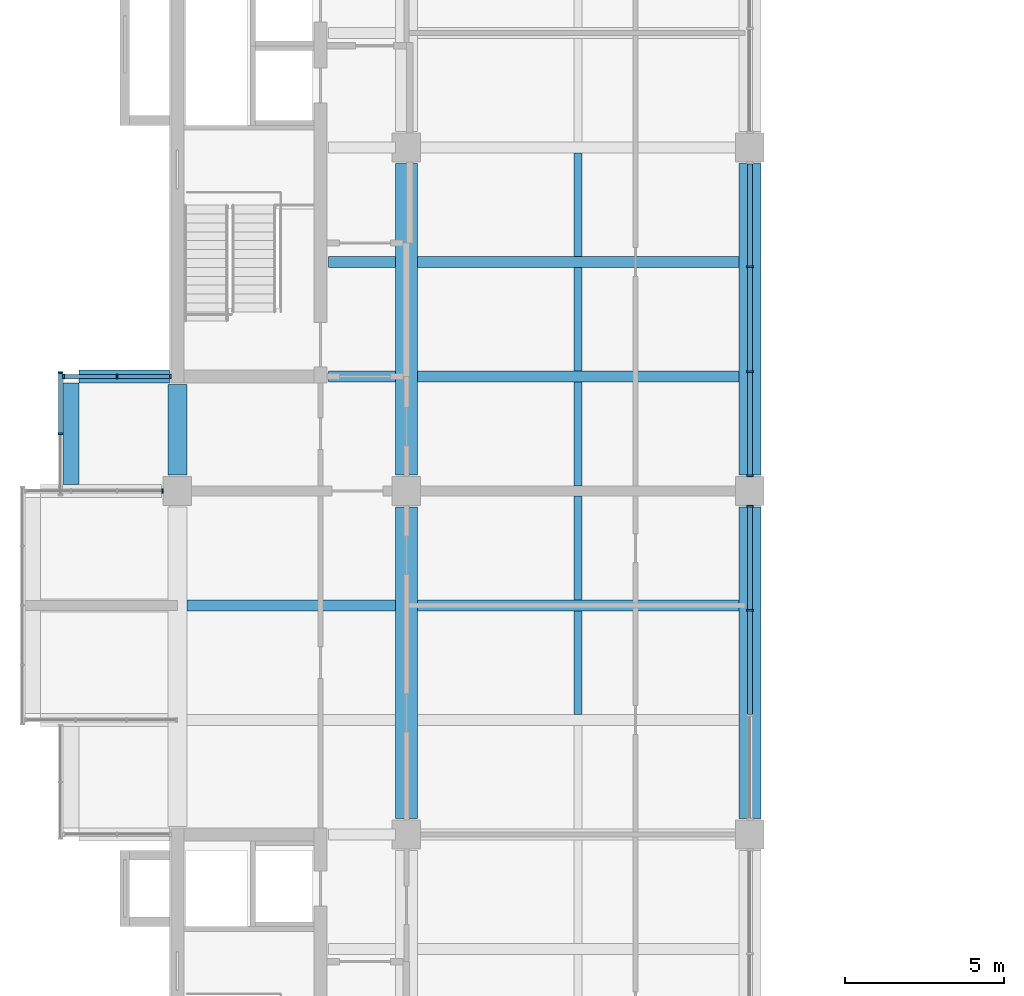
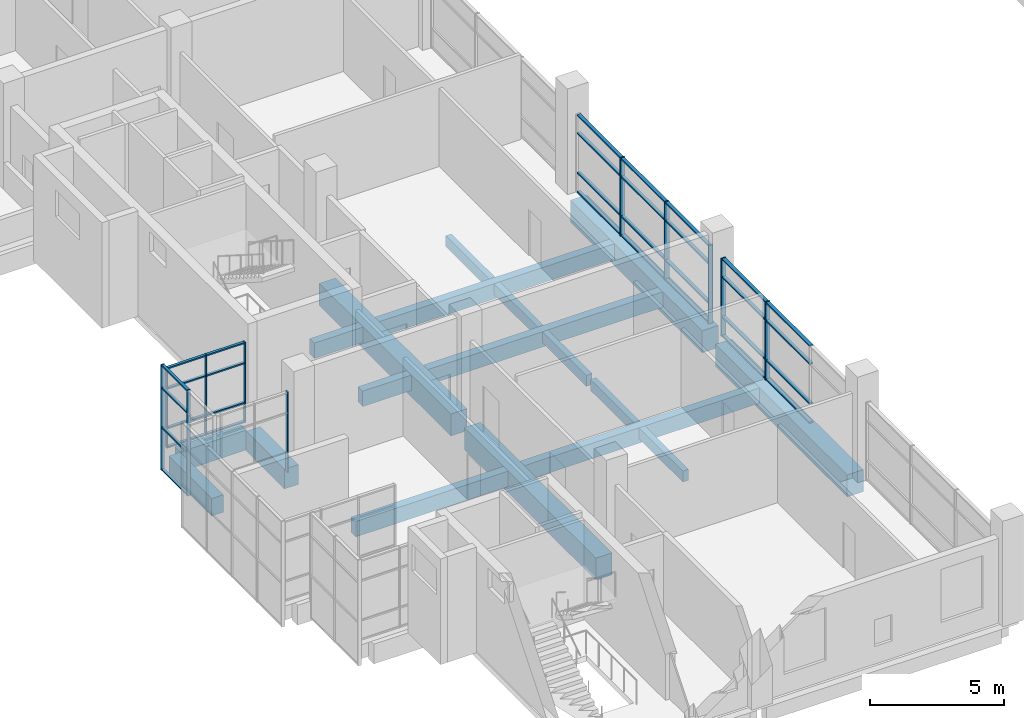
# One storey, part 8 of 32: 43 members, 18 beams, 5 elements without a shape of their own.
"""IFC4 building model written with IfcOpenShell, lengths in metres."""

from ifc_helpers import new_model, si_unit, direction, frame, origin, origin_2d, place, context, subcontext, project, spatial, rectangle, extrude, material, layer, layer_set, material_profile, profile_set, type_object, element, aggregate, save


model = new_model("IFC4")

# Units and contexts
model_context = context("Model", 3, precision=1e-05, world=origin(), true_north=direction((0.0, 1.0)))
body_context = subcontext(model_context, "Body", "Model", "MODEL_VIEW")
ifc_project = project(units=[si_unit("LENGTHUNIT", "METRE"), si_unit("AREAUNIT", "SQUARE_METRE"), si_unit("VOLUMEUNIT", "CUBIC_METRE"), si_unit("PLANEANGLEUNIT", "RADIAN"), si_unit("MASSUNIT", "GRAM", prefix="KILO")], contexts=[model_context])

# Site, building, storey
site_placement = place(None, origin())
site = spatial("IfcSite", under=ifc_project, at=site_placement, CompositionType="ELEMENT")
building_placement = place(site_placement, origin())
building = spatial("IfcBuilding", under=site, at=building_placement, Name="Basin Gate Institute", CompositionType="ELEMENT")
storey_placement = place(building_placement, frame((0.0, 0.0, 41.39990234375)))
storey = spatial("IfcBuildingStorey", under=building, at=storey_placement, Name="L08", CompositionType="ELEMENT", Elevation=41.39990234375)

# Beams
ifc_material_1 = material(Name="Concrete 40 MPa", Category="concrete")
ifc_material_profile_1 = material_profile(ifc_material_1, rectangle(XDim=0.35009765625, YDim=0.699951171875, at=origin_2d()), Name="Beam B1 350 x 700")
ifc_profile_set_1 = profile_set([ifc_material_profile_1], Name="Concrete 40 MPa")
beam_type_1 = type_object("IfcBeamType", Name="Beam B1 R120", PredefinedType="BEAM", material=ifc_profile_set_1)
beam_1_placement = place(storey_placement, frame((68.75, 53.10009765625, -0.599853515625), z_axis=(1.0, 0.0, 0.0), x_axis=(0.0, 1.0, 0.0)))
element("IfcBeam", 1, at=beam_1_placement, inside=storey, type_object=beam_type_1, material=ifc_profile_set_1, Name="BEAM/L08/W/EW/06", PredefinedType="BEAM", context=body_context, shape_type="SweptSolid", body=[
    extrude(rectangle(XDim=0.35009765625, YDim=0.699951171875, at=origin_2d()), origin(), (0.0, 0.0, 1.0), 10.10009765625),
])
beam_2_placement = place(storey_placement, frame((61.5, 53.10009765625, -0.599853515625), z_axis=(1.0, 0.0, 0.0), x_axis=(0.0, 1.0, 0.0)))
element("IfcBeam", 2, at=beam_2_placement, inside=storey, type_object=beam_type_1, material=ifc_profile_set_1, Name="BEAM/L08/W/OUT/06", PredefinedType="BEAM", context=body_context, shape_type="SweptSolid", body=[
    extrude(rectangle(XDim=0.35009765625, YDim=0.699951171875, at=origin_2d()), origin(), (0.0, 0.0, 1.0), 6.550048828125),
])
beam_3_placement = place(storey_placement, frame((68.75, 60.300048828125, -0.599853515625), z_axis=(1.0, 0.0, 0.0), x_axis=(0.0, 1.0, 0.0)))
element("IfcBeam", 3, at=beam_3_placement, inside=storey, type_object=beam_type_1, material=ifc_profile_set_1, Name="BEAM/L08/W/EW/08", PredefinedType="BEAM", context=body_context, shape_type="SweptSolid", body=[
    extrude(rectangle(XDim=0.35009765625, YDim=0.699951171875, at=origin_2d()), origin(), (0.0, 0.0, 1.0), 10.10009765625),
])
beam_4_placement = place(storey_placement, frame((65.949951171875, 60.300048828125, -0.599853515625), z_axis=(1.0, 0.0, 0.0), x_axis=(0.0, 1.0, 0.0)))
element("IfcBeam", 4, at=beam_4_placement, inside=storey, type_object=beam_type_1, material=ifc_profile_set_1, Name="BEAM/L08/W/CORR/08", PredefinedType="BEAM", context=body_context, shape_type="SweptSolid", body=[
    extrude(rectangle(XDim=0.35009765625, YDim=0.699951171875, at=origin_2d()), origin(), (0.0, 0.0, 1.0), 2.10009765625),
])
beam_5_placement = place(storey_placement, frame((68.75, 63.89990234375, -0.599853515625), z_axis=(1.0, 0.0, 0.0), x_axis=(0.0, 1.0, 0.0)))
element("IfcBeam", 5, at=beam_5_placement, inside=storey, type_object=beam_type_1, material=ifc_profile_set_1, Name="BEAM/L08/W/EW/09", PredefinedType="BEAM", context=body_context, shape_type="SweptSolid", body=[
    extrude(rectangle(XDim=0.35009765625, YDim=0.699951171875, at=origin_2d()), origin(), (0.0, 0.0, 1.0), 10.10009765625),
])
beam_6_placement = place(storey_placement, frame((65.949951171875, 63.89990234375, -0.599853515625), z_axis=(1.0, 0.0, 0.0), x_axis=(0.0, 1.0, 0.0)))
element("IfcBeam", 6, at=beam_6_placement, inside=storey, type_object=beam_type_1, material=ifc_profile_set_1, Name="BEAM/L08/W/CORR/09", PredefinedType="BEAM", context=body_context, shape_type="SweptSolid", body=[
    extrude(rectangle(XDim=0.35009765625, YDim=0.699951171875, at=origin_2d()), origin(), (0.0, 0.0, 1.0), 2.10009765625),
])
ifc_material_2 = material(Name="Concrete 50 MPa", Category="concrete")
ifc_material_profile_2 = material_profile(ifc_material_2, rectangle(XDim=0.39990234375, YDim=0.89990234375, at=origin_2d()), Name="Cantilever beam B3 400 x 900")
ifc_profile_set_2 = profile_set([ifc_material_profile_2], Name="Concrete 50 MPa")
beam_type_2 = type_object("IfcBeamType", Name="Cantilever beam B3 R120", PredefinedType="BEAM", material=ifc_profile_set_2)
beam_7_placement = place(storey_placement, frame((58.10009765625, 60.300048828125, -0.699951171875), z_axis=(1.0, 0.0, 0.0), x_axis=(0.0, 1.0, 0.0)))
element("IfcBeam", 7, at=beam_7_placement, inside=storey, type_object=beam_type_2, material=ifc_profile_set_2, Name="BEAM/L08/W/CANT/08", PredefinedType="BEAM", context=body_context, shape_type="SweptSolid", body=[
    extrude(rectangle(XDim=0.39990234375, YDim=0.89990234375, at=origin_2d()), origin(), (0.0, 0.0, 1.0), 2.849853515625),
])
ifc_material_3 = material(Name="Concrete 50 MPa", Category="concrete")
ifc_material_profile_3 = material_profile(ifc_material_3, rectangle(XDim=0.60009765625, YDim=0.89990234375, at=origin_2d()), Name="Edge return beam EB3 600 x 900")
ifc_profile_set_3 = profile_set([ifc_material_profile_3], Name="Concrete 50 MPa")
beam_type_3 = type_object("IfcBeamType", Name="Edge return beam EB3 R120", PredefinedType="SPANDREL", material=ifc_profile_set_3)
beam_8_placement = place(storey_placement, frame((61.199951171875, 57.199951171875, -0.699951171875), z_axis=(0.0, 1.0, 0.0), x_axis=(-1.0, 0.0, 0.0)))
element("IfcBeam", 8, at=beam_8_placement, inside=storey, type_object=beam_type_3, material=ifc_profile_set_3, Name="BEAM/L08/W/EDGE/2", PredefinedType="SPANDREL", context=body_context, shape_type="SweptSolid", body=[
    extrude(rectangle(XDim=0.60009765625, YDim=0.89990234375, at=origin_2d()), origin(), (0.0, 0.0, 1.0), 2.85009765625),
])
ifc_material_4 = material(Name="Concrete 50 MPa", Category="concrete")
ifc_material_profile_4 = material_profile(ifc_material_4, rectangle(XDim=0.699951171875, YDim=1.0, at=origin_2d()), Name="Girder G1 700 x 1000")
ifc_profile_set_4 = profile_set([ifc_material_profile_4], Name="Concrete 50 MPa")
beam_type_4 = type_object("IfcBeamType", Name="Girder G1 R120", PredefinedType="BEAM", material=ifc_profile_set_4)
for number, where, z_axis, x_axis, name in (
    (9, (68.39990234375, 46.39990234375, -0.75), (0.0, 1.0, 0.0), (-1.0, 0.0, 0.0), "GIR/L08/W5/2"),
    (10, (68.39990234375, 57.199951171875, -0.75), (0.0, 1.0, 0.0), (-1.0, 0.0, 0.0), "GIR/L08/W5/3"),
    (11, (79.199951171875, 46.39990234375, -0.75), (0.0, 1.0, 0.0), (-1.0, 0.0, 0.0), "GIR/L08/W6/2"),
    (12, (79.199951171875, 57.199951171875, -0.75), (0.0, 1.0, 0.0), (-1.0, 0.0, 0.0), "GIR/L08/W6/3"),
):
    element("IfcBeam", number, at=place(storey_placement, frame(where, z_axis=z_axis, x_axis=x_axis)), inside=storey, type_object=beam_type_4, material=ifc_profile_set_4, Name=name, PredefinedType="BEAM", context=body_context, shape_type="SweptSolid", body=[
        extrude(rectangle(XDim=0.699951171875, YDim=1.0, at=origin_2d()), origin(), (0.0, 0.0, 1.0), 9.800048828125),
    ])

# Curtain wall, member
ifc_material_5 = material(Name="Aluminium-framed glazing", Category="aluminium")
ifc_layer_1 = layer(ifc_material_5, 0.14990234375)
ifc_layer_set_1 = layer_set([ifc_layer_1], Name="Capsule front curtain wall CW1")
curtain_wall_type_1 = type_object("IfcCurtainWallType", Name="Capsule front curtain wall CW1", PredefinedType="NOTDEFINED", material=ifc_layer_set_1)
curtain_wall_1_placement = place(storey_placement, origin())
curtain_wall_1 = element("IfcCurtainWall", 13, at=curtain_wall_1_placement, inside=storey, type_object=curtain_wall_type_1, material=ifc_layer_set_1, Name="Capsule front curtain wall W wing capsule end L08 line 7", PredefinedType="NOTDEFINED")
ifc_material_6 = material(Name="Aluminium", Category="aluminium")
ifc_material_profile_5 = material_profile(ifc_material_6, rectangle(XDim=0.14990234375, YDim=0.050048828125, at=origin_2d()), Name="Mullion MU1 150 x 50")
ifc_profile_set_5 = profile_set([ifc_material_profile_5], Name="Aluminium")
member_type_1 = type_object("IfcMemberType", Name="Mullion MU1", PredefinedType="MULLION", material=ifc_profile_set_5)
member_1_placement = place(storey_placement, frame((60.72509765625, 56.699951171875, 0.0), z_axis=(0.0, 0.0, 1.0), x_axis=(0.0, 1.0, 0.0)))
member_1 = element("IfcMember", 14, at=member_1_placement, type_object=member_type_1, material=ifc_profile_set_5, Name="CW1 mullion 4", PredefinedType="MULLION", context=body_context, shape_type="SweptSolid", body=[
    extrude(rectangle(XDim=0.14990234375, YDim=0.050048828125, at=origin_2d()), origin(), (0.0, 0.0, 1.0), 3.650146484375),
])
aggregate(curtain_wall_1, [member_1])

# Curtain wall, members
curtain_wall_2_placement = place(storey_placement, origin())
curtain_wall_2 = element("IfcCurtainWall", 15, at=curtain_wall_2_placement, inside=storey, type_object=curtain_wall_type_1, material=ifc_layer_set_1, Name="Capsule front curtain wall W wing capsule end L08 line 8", PredefinedType="NOTDEFINED")
member_2_placement = place(storey_placement, frame((57.625, 60.300048828125, 0.0), z_axis=(0.0, 0.0, 1.0), x_axis=(0.0, 1.0, 0.0)))
member_2 = element("IfcMember", 16, at=member_2_placement, type_object=member_type_1, material=ifc_profile_set_5, Name="CW1 mullion 1", PredefinedType="MULLION", context=body_context, shape_type="SweptSolid", body=[
    extrude(rectangle(XDim=0.14990234375, YDim=0.050048828125, at=origin_2d()), origin(), (0.0, 0.0, 1.0), 3.650146484375),
])
member_3_placement = place(storey_placement, frame((59.300048828125, 60.300048828125, 0.0), z_axis=(0.0, 0.0, 1.0), x_axis=(0.0, 1.0, 0.0)))
member_3 = element("IfcMember", 17, at=member_3_placement, type_object=member_type_1, material=ifc_profile_set_5, Name="CW1 mullion 2", PredefinedType="MULLION", context=body_context, shape_type="SweptSolid", body=[
    extrude(rectangle(XDim=0.14990234375, YDim=0.050048828125, at=origin_2d()), origin(), (0.0, 0.0, 1.0), 3.650146484375),
])
member_4_placement = place(storey_placement, frame((60.97509765625, 60.300048828125, 0.0), z_axis=(0.0, 0.0, 1.0), x_axis=(0.0, 1.0, 0.0)))
member_4 = element("IfcMember", 18, at=member_4_placement, type_object=member_type_1, material=ifc_profile_set_5, Name="CW1 mullion 3", PredefinedType="MULLION", context=body_context, shape_type="SweptSolid", body=[
    extrude(rectangle(XDim=0.14990234375, YDim=0.050048828125, at=origin_2d()), origin(), (0.0, 0.0, 1.0), 3.650146484375),
])

curtain_wall_3_placement = place(storey_placement, origin())
curtain_wall_3 = element("IfcCurtainWall", 19, at=curtain_wall_3_placement, inside=storey, type_object=curtain_wall_type_1, material=ifc_layer_set_1, Name="Capsule front curtain wall W wing capsule 1 L08 front 4", PredefinedType="NOTDEFINED")
member_5_placement = place(storey_placement, frame((57.52490234375, 58.5, -1.0498046875), z_axis=(0.0, 0.0, 1.0), x_axis=(-1.0, 0.0, 0.0)))
member_5 = element("IfcMember", 20, at=member_5_placement, type_object=member_type_1, material=ifc_profile_set_5, Name="CW1 mullion 2", PredefinedType="MULLION", context=body_context, shape_type="SweptSolid", body=[
    extrude(rectangle(XDim=0.14990234375, YDim=0.050048828125, at=origin_2d()), origin(), (0.0, 0.0, 1.0), 4.7998046875),
])
member_6_placement = place(storey_placement, frame((57.52490234375, 60.425048828125, -1.0498046875), z_axis=(0.0, 0.0, 1.0), x_axis=(-1.0, 0.0, 0.0)))
member_6 = element("IfcMember", 21, at=member_6_placement, type_object=member_type_1, material=ifc_profile_set_5, Name="CW1 mullion 3", PredefinedType="MULLION", context=body_context, shape_type="SweptSolid", body=[
    extrude(rectangle(XDim=0.14990234375, YDim=0.050048828125, at=origin_2d()), origin(), (0.0, 0.0, 1.0), 4.7998046875),
])

ifc_material_7 = material(Name="Aluminium-framed glazing", Category="aluminium")
ifc_layer_2 = layer(ifc_material_7, 0.199951171875)
ifc_layer_set_2 = layer_set([ifc_layer_2], Name="Atrium curtain wall CW2")
curtain_wall_type_2 = type_object("IfcCurtainWallType", Name="Atrium curtain wall CW2", PredefinedType="NOTDEFINED", material=ifc_layer_set_2)
curtain_wall_4_placement = place(storey_placement, origin())
curtain_wall_4 = element("IfcCurtainWall", 22, at=curtain_wall_4_placement, inside=storey, type_object=curtain_wall_type_2, material=ifc_layer_set_2, Name="Atrium curtain wall W wing atrium bay 2 L08", PredefinedType="NOTDEFINED")
ifc_material_8 = material(Name="Aluminium", Category="aluminium")
ifc_material_profile_6 = material_profile(ifc_material_8, rectangle(XDim=0.199951171875, YDim=0.06005859375, at=origin_2d()), Name="Mullion MU2 200 x 60")
ifc_profile_set_6 = profile_set([ifc_material_profile_6], Name="Aluminium")
member_type_2 = type_object("IfcMemberType", Name="Mullion MU2", PredefinedType="MULLION", material=ifc_profile_set_6)
member_7_placement = place(storey_placement, frame((79.199951171875, 52.949951171875, 0.0), z_axis=(0.0, 0.0, 1.0), x_axis=(-1.0, 0.0, 0.0)))
member_7 = element("IfcMember", 23, at=member_7_placement, type_object=member_type_2, material=ifc_profile_set_6, Name="CW2 mullion 3", PredefinedType="MULLION", context=body_context, shape_type="SweptSolid", body=[
    extrude(rectangle(XDim=0.199951171875, YDim=0.06005859375, at=origin_2d()), origin(), (0.0, 0.0, 1.0), 3.550048828125),
])
member_8_placement = place(storey_placement, frame((79.199951171875, 56.219970703125, 0.0), z_axis=(0.0, 0.0, 1.0), x_axis=(-1.0, 0.0, 0.0)))
member_8 = element("IfcMember", 24, at=member_8_placement, type_object=member_type_2, material=ifc_profile_set_6, Name="CW2 mullion 4", PredefinedType="MULLION", context=body_context, shape_type="SweptSolid", body=[
    extrude(rectangle(XDim=0.199951171875, YDim=0.06005859375, at=origin_2d()), origin(), (0.0, 0.0, 1.0), 3.550048828125),
])

curtain_wall_5_placement = place(storey_placement, origin())
curtain_wall_5 = element("IfcCurtainWall", 25, at=curtain_wall_5_placement, inside=storey, type_object=curtain_wall_type_2, material=ifc_layer_set_2, Name="Atrium curtain wall W wing atrium bay 3 L08", PredefinedType="NOTDEFINED")
member_9_placement = place(storey_placement, frame((79.199951171875, 57.179931640625, 0.0), z_axis=(0.0, 0.0, 1.0), x_axis=(-1.0, 0.0, 0.0)))
member_9 = element("IfcMember", 26, at=member_9_placement, type_object=member_type_2, material=ifc_profile_set_6, Name="CW2 mullion 1", PredefinedType="MULLION", context=body_context, shape_type="SweptSolid", body=[
    extrude(rectangle(XDim=0.199951171875, YDim=0.06005859375, at=origin_2d()), origin(), (0.0, 0.0, 1.0), 3.550048828125),
])
member_10_placement = place(storey_placement, frame((79.199951171875, 60.449951171875, 0.0), z_axis=(0.0, 0.0, 1.0), x_axis=(-1.0, 0.0, 0.0)))
member_10 = element("IfcMember", 27, at=member_10_placement, type_object=member_type_2, material=ifc_profile_set_6, Name="CW2 mullion 2", PredefinedType="MULLION", context=body_context, shape_type="SweptSolid", body=[
    extrude(rectangle(XDim=0.199951171875, YDim=0.06005859375, at=origin_2d()), origin(), (0.0, 0.0, 1.0), 3.550048828125),
])
member_11_placement = place(storey_placement, frame((79.199951171875, 63.75, 0.0), z_axis=(0.0, 0.0, 1.0), x_axis=(-1.0, 0.0, 0.0)))
member_11 = element("IfcMember", 28, at=member_11_placement, type_object=member_type_2, material=ifc_profile_set_6, Name="CW2 mullion 3", PredefinedType="MULLION", context=body_context, shape_type="SweptSolid", body=[
    extrude(rectangle(XDim=0.199951171875, YDim=0.06005859375, at=origin_2d()), origin(), (0.0, 0.0, 1.0), 3.550048828125),
])

# Beams
ifc_material_9 = material(Name="Concrete 40 MPa", Category="concrete")
ifc_material_profile_7 = material_profile(ifc_material_9, rectangle(XDim=0.25, YDim=0.5, at=origin_2d()), Name="Rib R1 250 x 500")
ifc_profile_set_7 = profile_set([ifc_material_profile_7], Name="Concrete 40 MPa")
beam_type_5 = type_object("IfcBeamType", Name="Rib R1 R120", PredefinedType="JOIST", material=ifc_profile_set_7)
beam_9_placement = place(storey_placement, frame((73.800048828125, 49.675048828125, -0.5), z_axis=(0.0, 1.0, 0.0), x_axis=(-1.0, 0.0, 0.0)))
element("IfcBeam", 29, at=beam_9_placement, inside=storey, type_object=beam_type_5, material=ifc_profile_set_7, Name="BEAM/L08/W/RIB/05", PredefinedType="JOIST", context=body_context, shape_type="SweptSolid", body=[
    extrude(rectangle(XDim=0.25, YDim=0.5, at=origin_2d()), origin(), (0.0, 0.0, 1.0), 3.25),
])
beam_10_placement = place(storey_placement, frame((73.800048828125, 53.27490234375, -0.5), z_axis=(0.0, 1.0, 0.0), x_axis=(-1.0, 0.0, 0.0)))
element("IfcBeam", 30, at=beam_10_placement, inside=storey, type_object=beam_type_5, material=ifc_profile_set_7, Name="BEAM/L08/W/RIB/06", PredefinedType="JOIST", context=body_context, shape_type="SweptSolid", body=[
    extrude(rectangle(XDim=0.25, YDim=0.5, at=origin_2d()), origin(), (0.0, 0.0, 1.0), 3.275146484375),
])
beam_11_placement = place(storey_placement, frame((73.800048828125, 56.85009765625, -0.5), z_axis=(0.0, 1.0, 0.0), x_axis=(-1.0, 0.0, 0.0)))
element("IfcBeam", 31, at=beam_11_placement, inside=storey, type_object=beam_type_5, material=ifc_profile_set_7, Name="BEAM/L08/W/RIB/07", PredefinedType="JOIST", context=body_context, shape_type="SweptSolid", body=[
    extrude(rectangle(XDim=0.25, YDim=0.5, at=origin_2d()), origin(), (0.0, 0.0, 1.0), 3.27490234375),
])
for number, where, z_axis, x_axis, name in (
    (32, (73.800048828125, 60.47509765625, -0.5), (0.0, 1.0, 0.0), (-1.0, 0.0, 0.0), "BEAM/L08/W/RIB/08"),
    (33, (73.800048828125, 64.074951171875, -0.5), (0.0, 1.0, 0.0), (-1.0, 0.0, 0.0), "BEAM/L08/W/RIB/09"),
):
    element("IfcBeam", number, at=place(storey_placement, frame(where, z_axis=z_axis, x_axis=x_axis)), inside=storey, type_object=beam_type_5, material=ifc_profile_set_7, Name=name, PredefinedType="JOIST", context=body_context, shape_type="SweptSolid", body=[
        extrude(rectangle(XDim=0.25, YDim=0.5, at=origin_2d()), origin(), (0.0, 0.0, 1.0), 3.25),
    ])
ifc_material_10 = material(Name="Concrete 50 MPa", Category="concrete")
ifc_material_profile_8 = material_profile(ifc_material_10, rectangle(XDim=0.5, YDim=0.800048828125, at=origin_2d()), Name="Tip beam TB1 500 x 800")
ifc_profile_set_8 = profile_set([ifc_material_profile_8], Name="Concrete 50 MPa")
beam_type_6 = type_object("IfcBeamType", Name="Tip beam TB1 R120", PredefinedType="SPANDREL", material=ifc_profile_set_8)
beam_12_placement = place(storey_placement, frame((57.85009765625, 56.89990234375, -0.64990234375), z_axis=(0.0, 1.0, 0.0), x_axis=(-1.0, 0.0, 0.0)))
element("IfcBeam", 34, at=beam_12_placement, inside=storey, type_object=beam_type_6, material=ifc_profile_set_8, Name="BEAM/L08/W/TIP/4", PredefinedType="SPANDREL", context=body_context, shape_type="SweptSolid", body=[
    extrude(rectangle(XDim=0.5, YDim=0.800048828125, at=origin_2d()), origin(), (0.0, 0.0, 1.0), 3.2001953125),
])

# Member
ifc_material_11 = material(Name="Aluminium", Category="aluminium")
ifc_material_profile_9 = material_profile(ifc_material_11, rectangle(XDim=0.1201171875, YDim=0.06005859375, at=origin_2d()), Name="Transom TR1 120 x 60")
ifc_profile_set_9 = profile_set([ifc_material_profile_9], Name="Aluminium")
member_type_3 = type_object("IfcMemberType", Name="Transom TR1", PredefinedType="USERDEFINED", material=ifc_profile_set_9)
member_12_placement = place(storey_placement, frame((57.64990234375, 60.300048828125, 0.030029296875), z_axis=(1.0, 0.0, 0.0), x_axis=(0.0, 1.0, 0.0)))
member_12 = element("IfcMember", 35, at=member_12_placement, type_object=member_type_3, material=ifc_profile_set_9, Name="CW1 transom 1.1", ObjectType="TRANSOM", PredefinedType="USERDEFINED", context=body_context, shape_type="SweptSolid", body=[
    extrude(rectangle(XDim=0.1201171875, YDim=0.06005859375, at=origin_2d()), origin(), (0.0, 0.0, 1.0), 1.625),
])

member_13_placement = place(storey_placement, frame((57.64990234375, 60.300048828125, 0.900146484375), z_axis=(1.0, 0.0, 0.0), x_axis=(0.0, 1.0, 0.0)))
member_13 = element("IfcMember", 36, at=member_13_placement, type_object=member_type_3, material=ifc_profile_set_9, Name="CW1 transom 1.2", ObjectType="TRANSOM", PredefinedType="USERDEFINED", context=body_context, shape_type="SweptSolid", body=[
    extrude(rectangle(XDim=0.1201171875, YDim=0.06005859375, at=origin_2d()), origin(), (0.0, 0.0, 1.0), 1.625),
])

member_14_placement = place(storey_placement, frame((57.64990234375, 60.300048828125, 2.7001953125), z_axis=(1.0, 0.0, 0.0), x_axis=(0.0, 1.0, 0.0)))
member_14 = element("IfcMember", 37, at=member_14_placement, type_object=member_type_3, material=ifc_profile_set_9, Name="CW1 transom 1.3", ObjectType="TRANSOM", PredefinedType="USERDEFINED", context=body_context, shape_type="SweptSolid", body=[
    extrude(rectangle(XDim=0.1201171875, YDim=0.06005859375, at=origin_2d()), origin(), (0.0, 0.0, 1.0), 1.625),
])

member_15_placement = place(storey_placement, frame((57.64990234375, 60.300048828125, 3.6201171875), z_axis=(1.0, 0.0, 0.0), x_axis=(0.0, 1.0, 0.0)))
member_15 = element("IfcMember", 38, at=member_15_placement, type_object=member_type_3, material=ifc_profile_set_9, Name="CW1 transom 1.4", ObjectType="TRANSOM", PredefinedType="USERDEFINED", context=body_context, shape_type="SweptSolid", body=[
    extrude(rectangle(XDim=0.1201171875, YDim=0.06005859375, at=origin_2d()), origin(), (0.0, 0.0, 1.0), 1.625),
])

member_16_placement = place(storey_placement, frame((59.324951171875, 60.300048828125, 0.030029296875), z_axis=(1.0, 0.0, 0.0), x_axis=(0.0, 1.0, 0.0)))
member_16 = element("IfcMember", 39, at=member_16_placement, type_object=member_type_3, material=ifc_profile_set_9, Name="CW1 transom 2.1", ObjectType="TRANSOM", PredefinedType="USERDEFINED", context=body_context, shape_type="SweptSolid", body=[
    extrude(rectangle(XDim=0.1201171875, YDim=0.06005859375, at=origin_2d()), origin(), (0.0, 0.0, 1.0), 1.625),
])

member_17_placement = place(storey_placement, frame((59.324951171875, 60.300048828125, 0.900146484375), z_axis=(1.0, 0.0, 0.0), x_axis=(0.0, 1.0, 0.0)))
member_17 = element("IfcMember", 40, at=member_17_placement, type_object=member_type_3, material=ifc_profile_set_9, Name="CW1 transom 2.2", ObjectType="TRANSOM", PredefinedType="USERDEFINED", context=body_context, shape_type="SweptSolid", body=[
    extrude(rectangle(XDim=0.1201171875, YDim=0.06005859375, at=origin_2d()), origin(), (0.0, 0.0, 1.0), 1.625),
])

member_18_placement = place(storey_placement, frame((59.324951171875, 60.300048828125, 2.7001953125), z_axis=(1.0, 0.0, 0.0), x_axis=(0.0, 1.0, 0.0)))
member_18 = element("IfcMember", 41, at=member_18_placement, type_object=member_type_3, material=ifc_profile_set_9, Name="CW1 transom 2.3", ObjectType="TRANSOM", PredefinedType="USERDEFINED", context=body_context, shape_type="SweptSolid", body=[
    extrude(rectangle(XDim=0.1201171875, YDim=0.06005859375, at=origin_2d()), origin(), (0.0, 0.0, 1.0), 1.625),
])

member_19_placement = place(storey_placement, frame((59.324951171875, 60.300048828125, 3.6201171875), z_axis=(1.0, 0.0, 0.0), x_axis=(0.0, 1.0, 0.0)))
member_19 = element("IfcMember", 42, at=member_19_placement, type_object=member_type_3, material=ifc_profile_set_9, Name="CW1 transom 2.4", ObjectType="TRANSOM", PredefinedType="USERDEFINED", context=body_context, shape_type="SweptSolid", body=[
    extrude(rectangle(XDim=0.1201171875, YDim=0.06005859375, at=origin_2d()), origin(), (0.0, 0.0, 1.0), 1.625),
])

aggregate(curtain_wall_2, [member_2, member_3, member_4, member_12, member_13, member_14, member_15, member_16, member_17, member_18, member_19])

member_20_placement = place(storey_placement, frame((57.52490234375, 58.52490234375, -1.02001953125), z_axis=(0.0, 1.0, 0.0), x_axis=(-1.0, 0.0, 0.0)))
member_20 = element("IfcMember", 43, at=member_20_placement, type_object=member_type_3, material=ifc_profile_set_9, Name="CW1 transom 2.1", ObjectType="TRANSOM", PredefinedType="USERDEFINED", context=body_context, shape_type="SweptSolid", body=[
    extrude(rectangle(XDim=0.1201171875, YDim=0.06005859375, at=origin_2d()), origin(), (0.0, 0.0, 1.0), 1.875),
])

member_21_placement = place(storey_placement, frame((57.52490234375, 58.52490234375, 0.900146484375), z_axis=(0.0, 1.0, 0.0), x_axis=(-1.0, 0.0, 0.0)))
member_21 = element("IfcMember", 44, at=member_21_placement, type_object=member_type_3, material=ifc_profile_set_9, Name="CW1 transom 2.2", ObjectType="TRANSOM", PredefinedType="USERDEFINED", context=body_context, shape_type="SweptSolid", body=[
    extrude(rectangle(XDim=0.1201171875, YDim=0.06005859375, at=origin_2d()), origin(), (0.0, 0.0, 1.0), 1.875),
])

member_22_placement = place(storey_placement, frame((57.52490234375, 58.52490234375, 2.7001953125), z_axis=(0.0, 1.0, 0.0), x_axis=(-1.0, 0.0, 0.0)))
member_22 = element("IfcMember", 45, at=member_22_placement, type_object=member_type_3, material=ifc_profile_set_9, Name="CW1 transom 2.3", ObjectType="TRANSOM", PredefinedType="USERDEFINED", context=body_context, shape_type="SweptSolid", body=[
    extrude(rectangle(XDim=0.1201171875, YDim=0.06005859375, at=origin_2d()), origin(), (0.0, 0.0, 1.0), 1.875),
])

member_23_placement = place(storey_placement, frame((57.52490234375, 58.52490234375, 3.72021484375), z_axis=(0.0, 1.0, 0.0), x_axis=(-1.0, 0.0, 0.0)))
member_23 = element("IfcMember", 46, at=member_23_placement, type_object=member_type_3, material=ifc_profile_set_9, Name="CW1 transom 2.4", ObjectType="TRANSOM", PredefinedType="USERDEFINED", context=body_context, shape_type="SweptSolid", body=[
    extrude(rectangle(XDim=0.1201171875, YDim=0.06005859375, at=origin_2d()), origin(), (0.0, 0.0, 1.0), 1.875),
])

aggregate(curtain_wall_3, [member_5, member_6, member_20, member_21, member_22, member_23])

ifc_material_12 = material(Name="Aluminium", Category="aluminium")
ifc_material_profile_10 = material_profile(ifc_material_12, rectangle(XDim=0.14990234375, YDim=0.06005859375, at=origin_2d()), Name="Transom TR2 150 x 60")
ifc_profile_set_10 = profile_set([ifc_material_profile_10], Name="Aluminium")
member_type_4 = type_object("IfcMemberType", Name="Transom TR2", PredefinedType="USERDEFINED", material=ifc_profile_set_10)
member_24_placement = place(storey_placement, frame((79.199951171875, 49.679931640625, 0.030029296875), z_axis=(0.0, 1.0, 0.0), x_axis=(-1.0, 0.0, 0.0)))
member_24 = element("IfcMember", 47, at=member_24_placement, type_object=member_type_4, material=ifc_profile_set_10, Name="CW2 transom 2.1", ObjectType="TRANSOM", PredefinedType="USERDEFINED", context=body_context, shape_type="SweptSolid", body=[
    extrude(rectangle(XDim=0.14990234375, YDim=0.06005859375, at=origin_2d()), origin(), (0.0, 0.0, 1.0), 3.239990234375),
])

member_25_placement = place(storey_placement, frame((79.199951171875, 49.679931640625, 0.900146484375), z_axis=(0.0, 1.0, 0.0), x_axis=(-1.0, 0.0, 0.0)))
member_25 = element("IfcMember", 48, at=member_25_placement, type_object=member_type_4, material=ifc_profile_set_10, Name="CW2 transom 2.2", ObjectType="TRANSOM", PredefinedType="USERDEFINED", context=body_context, shape_type="SweptSolid", body=[
    extrude(rectangle(XDim=0.14990234375, YDim=0.06005859375, at=origin_2d()), origin(), (0.0, 0.0, 1.0), 3.239990234375),
])

member_26_placement = place(storey_placement, frame((79.199951171875, 49.679931640625, 2.7001953125), z_axis=(0.0, 1.0, 0.0), x_axis=(-1.0, 0.0, 0.0)))
member_26 = element("IfcMember", 49, at=member_26_placement, type_object=member_type_4, material=ifc_profile_set_10, Name="CW2 transom 2.3", ObjectType="TRANSOM", PredefinedType="USERDEFINED", context=body_context, shape_type="SweptSolid", body=[
    extrude(rectangle(XDim=0.14990234375, YDim=0.06005859375, at=origin_2d()), origin(), (0.0, 0.0, 1.0), 3.239990234375),
])

member_27_placement = place(storey_placement, frame((79.199951171875, 49.679931640625, 3.52001953125), z_axis=(0.0, 1.0, 0.0), x_axis=(-1.0, 0.0, 0.0)))
member_27 = element("IfcMember", 50, at=member_27_placement, type_object=member_type_4, material=ifc_profile_set_10, Name="CW2 transom 2.4", ObjectType="TRANSOM", PredefinedType="USERDEFINED", context=body_context, shape_type="SweptSolid", body=[
    extrude(rectangle(XDim=0.14990234375, YDim=0.06005859375, at=origin_2d()), origin(), (0.0, 0.0, 1.0), 3.239990234375),
])

member_28_placement = place(storey_placement, frame((79.199951171875, 52.97998046875, 0.030029296875), z_axis=(0.0, 1.0, 0.0), x_axis=(-1.0, 0.0, 0.0)))
member_28 = element("IfcMember", 51, at=member_28_placement, type_object=member_type_4, material=ifc_profile_set_10, Name="CW2 transom 3.1", ObjectType="TRANSOM", PredefinedType="USERDEFINED", context=body_context, shape_type="SweptSolid", body=[
    extrude(rectangle(XDim=0.14990234375, YDim=0.06005859375, at=origin_2d()), origin(), (0.0, 0.0, 1.0), 3.2099609375),
])

member_29_placement = place(storey_placement, frame((79.199951171875, 52.97998046875, 0.900146484375), z_axis=(0.0, 1.0, 0.0), x_axis=(-1.0, 0.0, 0.0)))
member_29 = element("IfcMember", 52, at=member_29_placement, type_object=member_type_4, material=ifc_profile_set_10, Name="CW2 transom 3.2", ObjectType="TRANSOM", PredefinedType="USERDEFINED", context=body_context, shape_type="SweptSolid", body=[
    extrude(rectangle(XDim=0.14990234375, YDim=0.06005859375, at=origin_2d()), origin(), (0.0, 0.0, 1.0), 3.2099609375),
])

member_30_placement = place(storey_placement, frame((79.199951171875, 52.97998046875, 2.7001953125), z_axis=(0.0, 1.0, 0.0), x_axis=(-1.0, 0.0, 0.0)))
member_30 = element("IfcMember", 53, at=member_30_placement, type_object=member_type_4, material=ifc_profile_set_10, Name="CW2 transom 3.3", ObjectType="TRANSOM", PredefinedType="USERDEFINED", context=body_context, shape_type="SweptSolid", body=[
    extrude(rectangle(XDim=0.14990234375, YDim=0.06005859375, at=origin_2d()), origin(), (0.0, 0.0, 1.0), 3.2099609375),
])

member_31_placement = place(storey_placement, frame((79.199951171875, 52.97998046875, 3.52001953125), z_axis=(0.0, 1.0, 0.0), x_axis=(-1.0, 0.0, 0.0)))
member_31 = element("IfcMember", 54, at=member_31_placement, type_object=member_type_4, material=ifc_profile_set_10, Name="CW2 transom 3.4", ObjectType="TRANSOM", PredefinedType="USERDEFINED", context=body_context, shape_type="SweptSolid", body=[
    extrude(rectangle(XDim=0.14990234375, YDim=0.06005859375, at=origin_2d()), origin(), (0.0, 0.0, 1.0), 3.2099609375),
])

aggregate(curtain_wall_4, [member_7, member_8, member_24, member_25, member_26, member_27, member_28, member_29, member_30, member_31])

member_32_placement = place(storey_placement, frame((79.199951171875, 57.2099609375, 0.030029296875), z_axis=(0.0, 1.0, 0.0), x_axis=(-1.0, 0.0, 0.0)))
member_32 = element("IfcMember", 55, at=member_32_placement, type_object=member_type_4, material=ifc_profile_set_10, Name="CW2 transom 1.1", ObjectType="TRANSOM", PredefinedType="USERDEFINED", context=body_context, shape_type="SweptSolid", body=[
    extrude(rectangle(XDim=0.14990234375, YDim=0.06005859375, at=origin_2d()), origin(), (0.0, 0.0, 1.0), 3.2099609375),
])

member_33_placement = place(storey_placement, frame((79.199951171875, 57.2099609375, 0.900146484375), z_axis=(0.0, 1.0, 0.0), x_axis=(-1.0, 0.0, 0.0)))
member_33 = element("IfcMember", 56, at=member_33_placement, type_object=member_type_4, material=ifc_profile_set_10, Name="CW2 transom 1.2", ObjectType="TRANSOM", PredefinedType="USERDEFINED", context=body_context, shape_type="SweptSolid", body=[
    extrude(rectangle(XDim=0.14990234375, YDim=0.06005859375, at=origin_2d()), origin(), (0.0, 0.0, 1.0), 3.2099609375),
])

member_34_placement = place(storey_placement, frame((79.199951171875, 57.2099609375, 2.7001953125), z_axis=(0.0, 1.0, 0.0), x_axis=(-1.0, 0.0, 0.0)))
member_34 = element("IfcMember", 57, at=member_34_placement, type_object=member_type_4, material=ifc_profile_set_10, Name="CW2 transom 1.3", ObjectType="TRANSOM", PredefinedType="USERDEFINED", context=body_context, shape_type="SweptSolid", body=[
    extrude(rectangle(XDim=0.14990234375, YDim=0.06005859375, at=origin_2d()), origin(), (0.0, 0.0, 1.0), 3.2099609375),
])

member_35_placement = place(storey_placement, frame((79.199951171875, 57.2099609375, 3.52001953125), z_axis=(0.0, 1.0, 0.0), x_axis=(-1.0, 0.0, 0.0)))
member_35 = element("IfcMember", 58, at=member_35_placement, type_object=member_type_4, material=ifc_profile_set_10, Name="CW2 transom 1.4", ObjectType="TRANSOM", PredefinedType="USERDEFINED", context=body_context, shape_type="SweptSolid", body=[
    extrude(rectangle(XDim=0.14990234375, YDim=0.06005859375, at=origin_2d()), origin(), (0.0, 0.0, 1.0), 3.2099609375),
])

member_36_placement = place(storey_placement, frame((79.199951171875, 60.47998046875, 0.030029296875), z_axis=(0.0, 1.0, 0.0), x_axis=(-1.0, 0.0, 0.0)))
member_36 = element("IfcMember", 59, at=member_36_placement, type_object=member_type_4, material=ifc_profile_set_10, Name="CW2 transom 2.1", ObjectType="TRANSOM", PredefinedType="USERDEFINED", context=body_context, shape_type="SweptSolid", body=[
    extrude(rectangle(XDim=0.14990234375, YDim=0.06005859375, at=origin_2d()), origin(), (0.0, 0.0, 1.0), 3.239990234375),
])

member_37_placement = place(storey_placement, frame((79.199951171875, 60.47998046875, 0.900146484375), z_axis=(0.0, 1.0, 0.0), x_axis=(-1.0, 0.0, 0.0)))
member_37 = element("IfcMember", 60, at=member_37_placement, type_object=member_type_4, material=ifc_profile_set_10, Name="CW2 transom 2.2", ObjectType="TRANSOM", PredefinedType="USERDEFINED", context=body_context, shape_type="SweptSolid", body=[
    extrude(rectangle(XDim=0.14990234375, YDim=0.06005859375, at=origin_2d()), origin(), (0.0, 0.0, 1.0), 3.239990234375),
])

member_38_placement = place(storey_placement, frame((79.199951171875, 60.47998046875, 2.7001953125), z_axis=(0.0, 1.0, 0.0), x_axis=(-1.0, 0.0, 0.0)))
member_38 = element("IfcMember", 61, at=member_38_placement, type_object=member_type_4, material=ifc_profile_set_10, Name="CW2 transom 2.3", ObjectType="TRANSOM", PredefinedType="USERDEFINED", context=body_context, shape_type="SweptSolid", body=[
    extrude(rectangle(XDim=0.14990234375, YDim=0.06005859375, at=origin_2d()), origin(), (0.0, 0.0, 1.0), 3.239990234375),
])

member_39_placement = place(storey_placement, frame((79.199951171875, 60.47998046875, 3.52001953125), z_axis=(0.0, 1.0, 0.0), x_axis=(-1.0, 0.0, 0.0)))
member_39 = element("IfcMember", 62, at=member_39_placement, type_object=member_type_4, material=ifc_profile_set_10, Name="CW2 transom 2.4", ObjectType="TRANSOM", PredefinedType="USERDEFINED", context=body_context, shape_type="SweptSolid", body=[
    extrude(rectangle(XDim=0.14990234375, YDim=0.06005859375, at=origin_2d()), origin(), (0.0, 0.0, 1.0), 3.239990234375),
])

member_40_placement = place(storey_placement, frame((79.199951171875, 63.780029296875, 0.030029296875), z_axis=(0.0, 1.0, 0.0), x_axis=(-1.0, 0.0, 0.0)))
member_40 = element("IfcMember", 63, at=member_40_placement, type_object=member_type_4, material=ifc_profile_set_10, Name="CW2 transom 3.1", ObjectType="TRANSOM", PredefinedType="USERDEFINED", context=body_context, shape_type="SweptSolid", body=[
    extrude(rectangle(XDim=0.14990234375, YDim=0.06005859375, at=origin_2d()), origin(), (0.0, 0.0, 1.0), 3.2099609375),
])

member_41_placement = place(storey_placement, frame((79.199951171875, 63.780029296875, 0.900146484375), z_axis=(0.0, 1.0, 0.0), x_axis=(-1.0, 0.0, 0.0)))
member_41 = element("IfcMember", 64, at=member_41_placement, type_object=member_type_4, material=ifc_profile_set_10, Name="CW2 transom 3.2", ObjectType="TRANSOM", PredefinedType="USERDEFINED", context=body_context, shape_type="SweptSolid", body=[
    extrude(rectangle(XDim=0.14990234375, YDim=0.06005859375, at=origin_2d()), origin(), (0.0, 0.0, 1.0), 3.2099609375),
])

member_42_placement = place(storey_placement, frame((79.199951171875, 63.780029296875, 2.7001953125), z_axis=(0.0, 1.0, 0.0), x_axis=(-1.0, 0.0, 0.0)))
member_42 = element("IfcMember", 65, at=member_42_placement, type_object=member_type_4, material=ifc_profile_set_10, Name="CW2 transom 3.3", ObjectType="TRANSOM", PredefinedType="USERDEFINED", context=body_context, shape_type="SweptSolid", body=[
    extrude(rectangle(XDim=0.14990234375, YDim=0.06005859375, at=origin_2d()), origin(), (0.0, 0.0, 1.0), 3.2099609375),
])

member_43_placement = place(storey_placement, frame((79.199951171875, 63.780029296875, 3.52001953125), z_axis=(0.0, 1.0, 0.0), x_axis=(-1.0, 0.0, 0.0)))
member_43 = element("IfcMember", 66, at=member_43_placement, type_object=member_type_4, material=ifc_profile_set_10, Name="CW2 transom 3.4", ObjectType="TRANSOM", PredefinedType="USERDEFINED", context=body_context, shape_type="SweptSolid", body=[
    extrude(rectangle(XDim=0.14990234375, YDim=0.06005859375, at=origin_2d()), origin(), (0.0, 0.0, 1.0), 3.2099609375),
])

aggregate(curtain_wall_5, [member_9, member_10, member_11, member_32, member_33, member_34, member_35, member_36, member_37, member_38, member_39, member_40, member_41, member_42, member_43])

save(model, "model.ifc")
